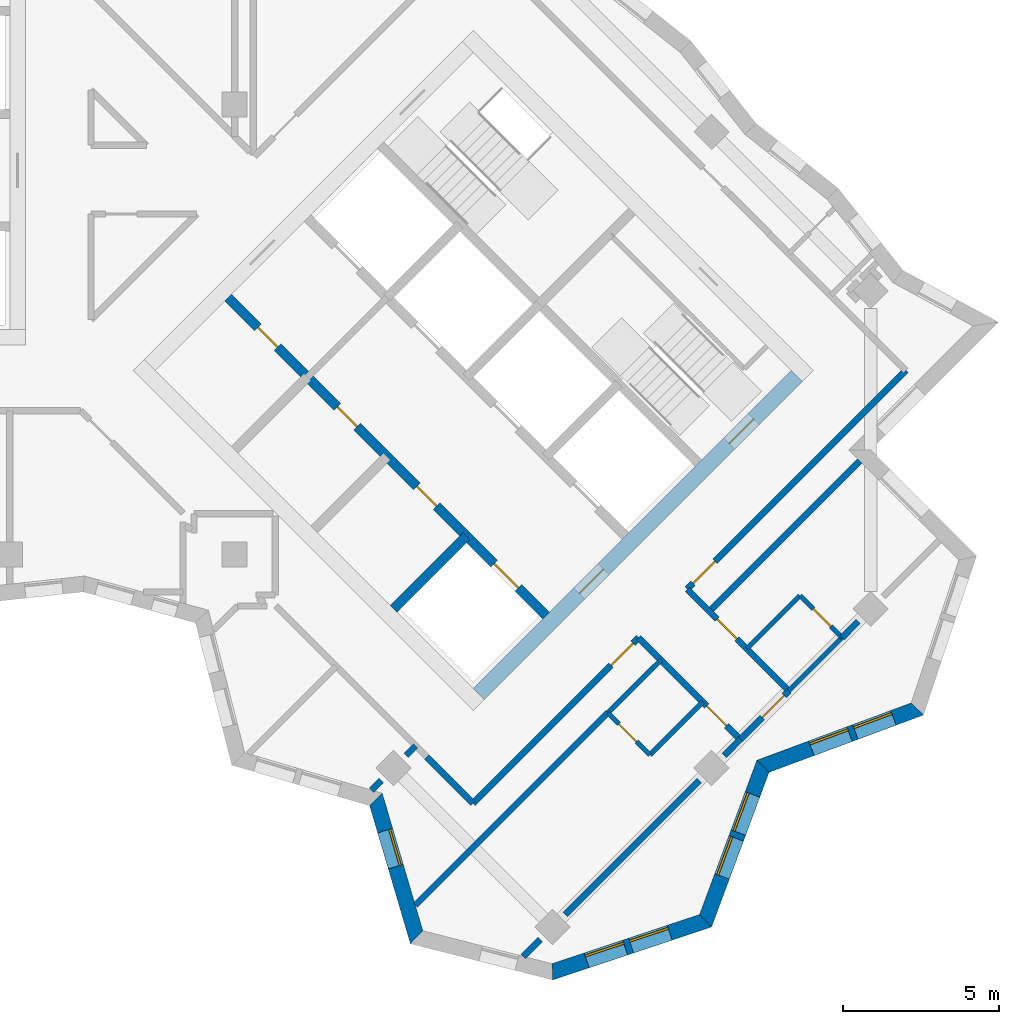
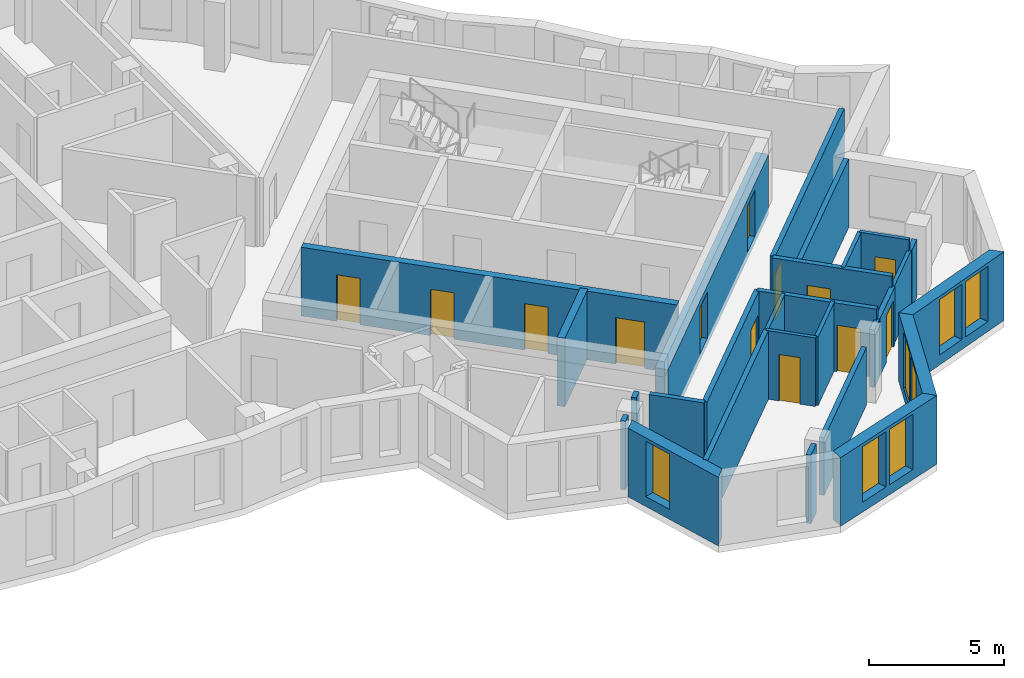
# One storey, part 8 of 12: 27 walls, 13 doors, 7 windows, 20 openings.
"""IFC4 building model written with IfcOpenShell, lengths in metres."""

from ifc_helpers import new_model, si_unit, direction, frame, frame_2d, origin, place, context, subcontext, project, spatial, polyline, rectangle, outline, extrude, material, layer, layer_set, type_object, element, fill, save


model = new_model("IFC4")

# Units and contexts
model_context = context("Model", 3, precision=1e-05, world=origin(), true_north=direction((0.0, 1.0)))
body_context = subcontext(model_context, "Body", "Model", "MODEL_VIEW")
ifc_project = project(units=[si_unit("LENGTHUNIT", "METRE"), si_unit("AREAUNIT", "SQUARE_METRE"), si_unit("VOLUMEUNIT", "CUBIC_METRE"), si_unit("PLANEANGLEUNIT", "RADIAN"), si_unit("MASSUNIT", "GRAM", prefix="KILO")], contexts=[model_context])

# Site, building, storey
site_placement = place(None, origin())
site = spatial("IfcSite", under=ifc_project, at=site_placement, CompositionType="ELEMENT")
building_placement = place(site_placement, origin())
building = spatial("IfcBuilding", under=site, at=building_placement, Name="Windrow Commons", CompositionType="ELEMENT")
storey_placement = place(building_placement, frame((0.0, 0.0, 199.8)))
storey = spatial("IfcBuildingStorey", under=building, at=storey_placement, Name="L54", CompositionType="ELEMENT", Elevation=199.8)

# Wall, openings, windows
ifc_material_1 = material(Name="Brick masonry, red clay brick", Category="masonry")
ifc_layer_1 = layer(ifc_material_1, 0.5)
ifc_layer_set_1 = layer_set([ifc_layer_1], Name="Brick facade wall 500")
wall_type_1 = type_object("IfcWallType", Name="Brick facade wall 500", PredefinedType="SOLIDWALL", material=ifc_layer_set_1)
wall_1_placement = place(storey_placement, frame((89.3729, 29.834, 0.0), z_axis=(0.0, 0.0, 1.0), x_axis=(0.9486871639, 0.3162161681, 0.0)))
wall_1 = element("IfcWall", 1, at=wall_1_placement, inside=storey, type_object=wall_type_1, Name="Brick facade wall L54 1", PredefinedType="SOLIDWALL", context=body_context, shape_type="SweptSolid", body=[
    extrude(outline(polyline([(-0.0734, -0.25), (5.2931, -0.25), (5.0536, 0.25), (0.0734, 0.25), (-0.0734, -0.25)])), origin(), (0.0, 0.0, 1.0), 3.1),
])
opening_1_placement = place(wall_1_placement, frame((1.1584, 0.0, 0.45)))
opening_1 = element("IfcOpeningElement", 2, at=opening_1_placement, cuts=wall_1, Name="Opening W1Q", PredefinedType="OPENING", context=body_context, shape_type="SweptSolid", body=[
    extrude(rectangle(XDim=1.3, YDim=2.5, at=frame_2d((0.65, 1.25))), frame((0.0, 0.26, 0.0), z_axis=(0.0, -1.0, 0.0), x_axis=(1.0, 0.0, 0.0)), (0.0, 0.0, 1.0), 0.52),
])
opening_2_placement = place(wall_1_placement, frame((2.6584, 0.0, 0.45)))
opening_2 = element("IfcOpeningElement", 3, at=opening_2_placement, cuts=wall_1, Name="Opening W1Q", PredefinedType="OPENING", context=body_context, shape_type="SweptSolid", body=[
    extrude(rectangle(XDim=1.3, YDim=2.5, at=frame_2d((0.65, 1.25))), frame((0.0, 0.26, 0.0), z_axis=(0.0, -1.0, 0.0), x_axis=(1.0, 0.0, 0.0)), (0.0, 0.0, 1.0), 0.52),
])
ifc_material_2 = material(Name="Clear float glass in anodised aluminium frame", Category="aluminium")
window_type_1 = type_object("IfcWindowType", Name="Window W1Q pair 1300x2500", PartitioningType="SINGLE_PANEL", PredefinedType="WINDOW", material=ifc_material_2)
window_1_placement = place(opening_1_placement, origin())
window_1 = element("IfcWindow", 4, at=window_1_placement, inside=storey, type_object=window_type_1, Name="Window L54 1.1A", OverallHeight=2.5, OverallWidth=1.3, PartitioningType="SINGLE_PANEL", PredefinedType="WINDOW", context=body_context, shape_type="SweptSolid", body=[
    extrude(rectangle(XDim=1.3, YDim=2.5, at=frame_2d((0.65, 1.25))), frame((0.0, 0.18, 0.0), z_axis=(0.0, -1.0, 0.0), x_axis=(1.0, 0.0, 0.0)), (0.0, 0.0, 1.0), 0.06),
])
fill(opening_1, window_1)
window_2_placement = place(opening_2_placement, origin())
window_2 = element("IfcWindow", 5, at=window_2_placement, inside=storey, type_object=window_type_1, Name="Window L54 1.1B", OverallHeight=2.5, OverallWidth=1.3, PartitioningType="SINGLE_PANEL", PredefinedType="WINDOW", context=body_context, shape_type="SweptSolid", body=[
    extrude(rectangle(XDim=1.3, YDim=2.5, at=frame_2d((0.65, 1.25))), frame((0.0, 0.18, 0.0), z_axis=(0.0, -1.0, 0.0), x_axis=(1.0, 0.0, 0.0)), (0.0, 0.0, 1.0), 0.06),
])
fill(opening_2, window_2)

wall_2_placement = place(storey_placement, frame((94.2808, 31.4699, 0.0), z_axis=(0.0, 0.0, 1.0), x_axis=(0.3481903374, 0.9374238577, 0.0)))
wall_2 = element("IfcWall", 6, at=wall_2_placement, inside=storey, type_object=wall_type_1, Name="Brick facade wall L54 2", PredefinedType="SOLIDWALL", context=body_context, shape_type="SweptSolid", body=[
    extrude(outline(polyline([(-0.1197, -0.25), (5.1604, -0.25), (5.3896, 0.25), (0.1197, 0.25), (-0.1197, -0.25)])), origin(), (0.0, 0.0, 1.0), 3.1),
])
opening_3_placement = place(wall_2_placement, frame((1.5123, 0.0, 0.45)))
opening_3 = element("IfcOpeningElement", 7, at=opening_3_placement, cuts=wall_2, Name="Opening W1Q", PredefinedType="OPENING", context=body_context, shape_type="SweptSolid", body=[
    extrude(rectangle(XDim=1.3, YDim=2.5, at=frame_2d((0.65, 1.25))), frame((0.0, 0.26, 0.0), z_axis=(0.0, -1.0, 0.0), x_axis=(1.0, 0.0, 0.0)), (0.0, 0.0, 1.0), 0.52),
])
opening_4_placement = place(wall_2_placement, frame((3.0123, 0.0, 0.45)))
opening_4 = element("IfcOpeningElement", 8, at=opening_4_placement, cuts=wall_2, Name="Opening W1Q", PredefinedType="OPENING", context=body_context, shape_type="SweptSolid", body=[
    extrude(rectangle(XDim=1.3, YDim=2.5, at=frame_2d((0.65, 1.25))), frame((0.0, 0.26, 0.0), z_axis=(0.0, -1.0, 0.0), x_axis=(1.0, 0.0, 0.0)), (0.0, 0.0, 1.0), 0.52),
])
window_3_placement = place(opening_3_placement, origin())
window_3 = element("IfcWindow", 9, at=window_3_placement, inside=storey, type_object=window_type_1, Name="Window L54 2.1A", OverallHeight=2.5, OverallWidth=1.3, PartitioningType="SINGLE_PANEL", PredefinedType="WINDOW", context=body_context, shape_type="SweptSolid", body=[
    extrude(rectangle(XDim=1.3, YDim=2.5, at=frame_2d((0.65, 1.25))), frame((0.0, 0.18, 0.0), z_axis=(0.0, -1.0, 0.0), x_axis=(1.0, 0.0, 0.0)), (0.0, 0.0, 1.0), 0.06),
])
fill(opening_3, window_3)
window_4_placement = place(opening_4_placement, origin())
window_4 = element("IfcWindow", 10, at=window_4_placement, inside=storey, type_object=window_type_1, Name="Window L54 2.1B", OverallHeight=2.5, OverallWidth=1.3, PartitioningType="SINGLE_PANEL", PredefinedType="WINDOW", context=body_context, shape_type="SweptSolid", body=[
    extrude(rectangle(XDim=1.3, YDim=2.5, at=frame_2d((0.65, 1.25))), frame((0.0, 0.18, 0.0), z_axis=(0.0, -1.0, 0.0), x_axis=(1.0, 0.0, 0.0)), (0.0, 0.0, 1.0), 0.06),
])
fill(opening_4, window_4)

wall_3_placement = place(storey_placement, frame((96.1175, 36.4148, 0.0), z_axis=(0.0, 0.0, 1.0), x_axis=(0.9374238577, 0.3481903374, 0.0)))
wall_3 = element("IfcWall", 11, at=wall_3_placement, inside=storey, type_object=wall_type_1, Name="Brick facade wall L54 3", PredefinedType="SOLIDWALL", context=body_context, shape_type="SweptSolid", body=[
    extrude(outline(polyline([(0.1146, -0.25), (5.3947, -0.25), (5.1552, 0.25), (-0.1146, 0.25), (0.1146, -0.25)])), origin(), (0.0, 0.0, 1.0), 3.1),
])
opening_5_placement = place(wall_3_placement, frame((1.655, 0.0, 0.45)))
opening_5 = element("IfcOpeningElement", 12, at=opening_5_placement, cuts=wall_3, Name="Opening W1Q", PredefinedType="OPENING", context=body_context, shape_type="SweptSolid", body=[
    extrude(rectangle(XDim=1.3, YDim=2.5, at=frame_2d((0.65, 1.25))), frame((0.0, 0.26, 0.0), z_axis=(0.0, -1.0, 0.0), x_axis=(1.0, 0.0, 0.0)), (0.0, 0.0, 1.0), 0.52),
])
opening_6_placement = place(wall_3_placement, frame((3.155, 0.0, 0.45)))
opening_6 = element("IfcOpeningElement", 13, at=opening_6_placement, cuts=wall_3, Name="Opening W1Q", PredefinedType="OPENING", context=body_context, shape_type="SweptSolid", body=[
    extrude(rectangle(XDim=1.3, YDim=2.5, at=frame_2d((0.65, 1.25))), frame((0.0, 0.26, 0.0), z_axis=(0.0, -1.0, 0.0), x_axis=(1.0, 0.0, 0.0)), (0.0, 0.0, 1.0), 0.52),
])
window_5_placement = place(opening_5_placement, origin())
window_5 = element("IfcWindow", 14, at=window_5_placement, inside=storey, type_object=window_type_1, Name="Window L54 3.1A", OverallHeight=2.5, OverallWidth=1.3, PartitioningType="SINGLE_PANEL", PredefinedType="WINDOW", context=body_context, shape_type="SweptSolid", body=[
    extrude(rectangle(XDim=1.3, YDim=2.5, at=frame_2d((0.65, 1.25))), frame((0.0, 0.18, 0.0), z_axis=(0.0, -1.0, 0.0), x_axis=(1.0, 0.0, 0.0)), (0.0, 0.0, 1.0), 0.06),
])
fill(opening_5, window_5)
window_6_placement = place(opening_6_placement, origin())
window_6 = element("IfcWindow", 15, at=window_6_placement, inside=storey, type_object=window_type_1, Name="Window L54 3.1B", OverallHeight=2.5, OverallWidth=1.3, PartitioningType="SINGLE_PANEL", PredefinedType="WINDOW", context=body_context, shape_type="SweptSolid", body=[
    extrude(rectangle(XDim=1.3, YDim=2.5, at=frame_2d((0.65, 1.25))), frame((0.0, 0.18, 0.0), z_axis=(0.0, -1.0, 0.0), x_axis=(1.0, 0.0, 0.0)), (0.0, 0.0, 1.0), 0.06),
])
fill(opening_6, window_6)

# Wall, opening, window
wall_4_placement = place(storey_placement, frame((83.7244, 35.3511, 0.0), z_axis=(0.0, 0.0, 1.0), x_axis=(0.2831378676, -0.9590792188, 0.0)))
wall_4 = element("IfcWall", 16, at=wall_4_placement, inside=storey, type_object=wall_type_1, Name="Brick facade wall L54 50", PredefinedType="SOLIDWALL", context=body_context, shape_type="SweptSolid", body=[
    extrude(outline(polyline([(0.136, -0.25), (4.7389, -0.25), (4.4546, 0.25), (-0.136, 0.25), (0.136, -0.25)])), origin(), (0.0, 0.0, 1.0), 3.1),
])
opening_7_placement = place(wall_4_placement, frame((1.0385, 0.0, 0.45)))
opening_7 = element("IfcOpeningElement", 17, at=opening_7_placement, cuts=wall_4, Name="Opening W7E", PredefinedType="OPENING", context=body_context, shape_type="SweptSolid", body=[
    extrude(rectangle(XDim=1.2, YDim=2.5, at=frame_2d((0.6, 1.25))), frame((0.0, 0.26, 0.0), z_axis=(0.0, -1.0, 0.0), x_axis=(1.0, 0.0, 0.0)), (0.0, 0.0, 1.0), 0.52),
])
ifc_material_3 = material(Name="Clear float glass in anodised aluminium frame", Category="aluminium")
window_type_2 = type_object("IfcWindowType", Name="Window W7 notch 1200x2500", PartitioningType="SINGLE_PANEL", PredefinedType="WINDOW", material=ifc_material_3)
window_7_placement = place(opening_7_placement, origin())
window_7 = element("IfcWindow", 18, at=window_7_placement, inside=storey, type_object=window_type_2, Name="Window L54 50.1", OverallHeight=2.5, OverallWidth=1.2, PartitioningType="SINGLE_PANEL", PredefinedType="WINDOW", context=body_context, shape_type="SweptSolid", body=[
    extrude(rectangle(XDim=1.2, YDim=2.5, at=frame_2d((0.6, 1.25))), frame((0.0, 0.18, 0.0), z_axis=(0.0, -1.0, 0.0), x_axis=(1.0, 0.0, 0.0)), (0.0, 0.0, 1.0), 0.06),
])
fill(opening_7, window_7)

# Wall, opening, door
ifc_material_4 = material(Name="Blockwork partition", Category="masonry")
ifc_layer_2 = layer(ifc_material_4, 0.2)
ifc_layer_set_2 = layer_set([ifc_layer_2], Name="IW-CORRIDOR-200")
wall_type_2 = type_object("IfcWallType", Name="IW-CORRIDOR-200", PredefinedType="PARTITIONING", material=ifc_layer_set_2)
wall_5_placement = place(storey_placement, frame((93.6953, 42.0907, 0.0), z_axis=(0.0, 0.0, 1.0), x_axis=(0.7071067812, 0.7071067812, 0.0)))
wall_5 = element("IfcWall", 19, at=wall_5_placement, inside=storey, type_object=wall_type_2, Name="W-L54-W009", PredefinedType="PARTITIONING", context=body_context, shape_type="SweptSolid", body=[
    extrude(rectangle(XDim=9.8995, YDim=0.2, at=frame_2d((4.9497, 0.0))), origin(), (0.0, 0.0, 1.0), 3.1),
])
opening_8_placement = place(wall_5_placement, frame((0.2553, 0.0, 0.0)))
opening_8 = element("IfcOpeningElement", 20, at=opening_8_placement, cuts=wall_5, Name="Opening D310F", PredefinedType="OPENING", context=body_context, shape_type="SweptSolid", body=[
    extrude(rectangle(XDim=1.0, YDim=2.1, at=frame_2d((0.5, 1.05))), frame((0.0, 0.11, 0.0), z_axis=(0.0, -1.0, 0.0), x_axis=(1.0, 0.0, 0.0)), (0.0, 0.0, 1.0), 0.22),
])
ifc_material_5 = material(Name="Timber door leaf", Category="wood")
door_type_1 = type_object("IfcDoorType", Name="DT-AMENITY-1000", OperationType="SINGLE_SWING_LEFT", PredefinedType="DOOR", material=ifc_material_5)
door_1_placement = place(opening_8_placement, origin())
door_1 = element("IfcDoor", 21, at=door_1_placement, inside=storey, type_object=door_type_1, Name="D-L54-D048", OperationType="SINGLE_SWING_LEFT", OverallHeight=2.1, OverallWidth=1.0, PredefinedType="DOOR", context=body_context, shape_type="SweptSolid", body=[
    extrude(rectangle(XDim=1.0, YDim=2.1, at=frame_2d((0.5, 1.05))), frame((0.0, 0.025, 0.0), z_axis=(0.0, -1.0, 0.0), x_axis=(1.0, 0.0, 0.0)), (0.0, 0.0, 1.0), 0.05),
])
fill(opening_8, door_1)

wall_6_placement = place(storey_placement, frame((86.8353, 35.2307, 0.0), z_axis=(0.0, 0.0, 1.0), x_axis=(0.7071067812, 0.7071067812, 0.0)))
wall_6 = element("IfcWall", 22, at=wall_6_placement, inside=storey, type_object=wall_type_2, Name="W-L54-W013", PredefinedType="PARTITIONING", context=body_context, shape_type="SweptSolid", body=[
    extrude(rectangle(XDim=7.501, YDim=0.2, at=frame_2d((3.7505, 0.0))), origin(), (0.0, 0.0, 1.0), 3.1),
])
opening_9_placement = place(wall_6_placement, frame((6.2426, 0.0, 0.0)))
opening_9 = element("IfcOpeningElement", 23, at=opening_9_placement, cuts=wall_6, Name="Opening D310F", PredefinedType="OPENING", context=body_context, shape_type="SweptSolid", body=[
    extrude(rectangle(XDim=1.0, YDim=2.1, at=frame_2d((0.5, 1.05))), frame((0.0, 0.11, 0.0), z_axis=(0.0, -1.0, 0.0), x_axis=(1.0, 0.0, 0.0)), (0.0, 0.0, 1.0), 0.22),
])
door_2_placement = place(opening_9_placement, origin())
door_2 = element("IfcDoor", 24, at=door_2_placement, inside=storey, type_object=door_type_1, Name="D-L54-D049", OperationType="SINGLE_SWING_RIGHT", OverallHeight=2.1, OverallWidth=1.0, PredefinedType="DOOR", context=body_context, shape_type="SweptSolid", body=[
    extrude(rectangle(XDim=1.0, YDim=2.1, at=frame_2d((0.5, 1.05))), frame((0.0, 0.025, 0.0), z_axis=(0.0, -1.0, 0.0), x_axis=(1.0, 0.0, 0.0)), (0.0, 0.0, 1.0), 0.05),
])
fill(opening_9, door_2)

wall_7_placement = place(storey_placement, frame((93.6933, 42.0853, 0.0), z_axis=(0.0, 0.0, 1.0), x_axis=(0.7071067812, -0.7071067812, 0.0)))
wall_7 = element("IfcWall", 25, at=wall_7_placement, inside=storey, type_object=wall_type_2, Name="W-L54-W034", PredefinedType="PARTITIONING", context=body_context, shape_type="SweptSolid", body=[
    extrude(rectangle(XDim=4.599, YDim=0.2, at=frame_2d((2.2995, 0.0))), origin(), (0.0, 0.0, 1.0), 3.1),
])
opening_10_placement = place(wall_7_placement, frame((1.3488, 0.0, 0.0)))
opening_10 = element("IfcOpeningElement", 26, at=opening_10_placement, cuts=wall_7, Name="Opening D109S", PredefinedType="OPENING", context=body_context, shape_type="SweptSolid", body=[
    extrude(rectangle(XDim=0.9, YDim=2.1, at=frame_2d((0.45, 1.05))), frame((0.0, 0.11, 0.0), z_axis=(0.0, -1.0, 0.0), x_axis=(1.0, 0.0, 0.0)), (0.0, 0.0, 1.0), 0.22),
])
ifc_material_6 = material(Name="Timber door leaf", Category="wood")
door_type_2 = type_object("IfcDoorType", Name="DT-BEDROOM-900", OperationType="SINGLE_SWING_LEFT", PredefinedType="DOOR", material=ifc_material_6)
door_3_placement = place(opening_10_placement, origin())
door_3 = element("IfcDoor", 27, at=door_3_placement, inside=storey, type_object=door_type_2, Name="D-L54-D050", OperationType="SINGLE_SWING_RIGHT", OverallHeight=2.1, OverallWidth=0.9, PredefinedType="DOOR", context=body_context, shape_type="SweptSolid", body=[
    extrude(rectangle(XDim=0.9, YDim=2.1, at=frame_2d((0.45, 1.05))), frame((0.0, 0.025, 0.0), z_axis=(0.0, -1.0, 0.0), x_axis=(1.0, 0.0, 0.0)), (0.0, 0.0, 1.0), 0.05),
])
fill(opening_10, door_3)

wall_8_placement = place(storey_placement, frame((92.1367, 40.5307, 0.0), z_axis=(0.0, 0.0, 1.0), x_axis=(0.7071067812, -0.7071067812, 0.0)))
wall_8 = element("IfcWall", 28, at=wall_8_placement, inside=storey, type_object=wall_type_2, Name="W-L54-W035", PredefinedType="PARTITIONING", context=body_context, shape_type="SweptSolid", body=[
    extrude(rectangle(XDim=4.599, YDim=0.2, at=frame_2d((2.2995, 0.0))), origin(), (0.0, 0.0, 1.0), 3.1),
])
opening_11_placement = place(wall_8_placement, frame((3.0827, 0.0, 0.0)))
opening_11 = element("IfcOpeningElement", 29, at=opening_11_placement, cuts=wall_8, Name="Opening D109S", PredefinedType="OPENING", context=body_context, shape_type="SweptSolid", body=[
    extrude(rectangle(XDim=0.9, YDim=2.1, at=frame_2d((0.45, 1.05))), frame((0.0, 0.11, 0.0), z_axis=(0.0, -1.0, 0.0), x_axis=(1.0, 0.0, 0.0)), (0.0, 0.0, 1.0), 0.22),
])
door_4_placement = place(opening_11_placement, origin())
door_4 = element("IfcDoor", 30, at=door_4_placement, inside=storey, type_object=door_type_2, Name="D-L54-D052", OperationType="SINGLE_SWING_LEFT", OverallHeight=2.1, OverallWidth=0.9, PredefinedType="DOOR", context=body_context, shape_type="SweptSolid", body=[
    extrude(rectangle(XDim=0.9, YDim=2.1, at=frame_2d((0.45, 1.05))), frame((0.0, 0.025, 0.0), z_axis=(0.0, -1.0, 0.0), x_axis=(1.0, 0.0, 0.0)), (0.0, 0.0, 1.0), 0.05),
])
fill(opening_11, door_4)

wall_9_placement = place(storey_placement, frame((95.3923, 37.2817, 0.0), z_axis=(0.0, 0.0, 1.0), x_axis=(0.7075613659, 0.706651904, 0.0)))
wall_9 = element("IfcWall", 31, at=wall_9_placement, inside=storey, type_object=wall_type_2, Name="W-L54-W096", PredefinedType="PARTITIONING", context=body_context, shape_type="SweptSolid", body=[
    extrude(rectangle(XDim=2.1991, YDim=0.2, at=frame_2d((1.0996, 0.0))), origin(), (0.0, 0.0, 1.0), 2.6),
])
opening_12_placement = place(wall_9_placement, frame((0.9865, 0.0, 0.0)))
opening_12 = element("IfcOpeningElement", 32, at=opening_12_placement, cuts=wall_9, Name="Opening D310F", PredefinedType="OPENING", context=body_context, shape_type="SweptSolid", body=[
    extrude(rectangle(XDim=1.0, YDim=2.1, at=frame_2d((0.5, 1.05))), frame((0.0, 0.11, 0.0), z_axis=(0.0, -1.0, 0.0), x_axis=(1.0, 0.0, 0.0)), (0.0, 0.0, 1.0), 0.22),
])
door_5_placement = place(opening_12_placement, origin())
door_5 = element("IfcDoor", 33, at=door_5_placement, inside=storey, type_object=door_type_1, Name="D-L54-D054", OperationType="SINGLE_SWING_RIGHT", OverallHeight=2.1, OverallWidth=1.0, PredefinedType="DOOR", context=body_context, shape_type="SweptSolid", body=[
    extrude(rectangle(XDim=1.0, YDim=2.1, at=frame_2d((0.5, 1.05))), frame((0.0, 0.025, 0.0), z_axis=(0.0, -1.0, 0.0), x_axis=(1.0, 0.0, 0.0)), (0.0, 0.0, 1.0), 0.05),
])
fill(opening_12, door_5)

# Walls
wall_10_placement = place(storey_placement, frame((85.3532, 36.7172, 0.0), z_axis=(0.0, 0.0, 1.0), x_axis=(0.7066304548, -0.7075827869, 0.0)))
element("IfcWall", 34, at=wall_10_placement, inside=storey, type_object=wall_type_2, Name="W-L54-W098", PredefinedType="PARTITIONING", context=body_context, shape_type="SweptSolid", body=[
    extrude(rectangle(XDim=2.1001, YDim=0.2, at=frame_2d((1.05, 0.0))), origin(), (0.0, 0.0, 1.0), 3.1),
])
ifc_material_7 = material(Name="Blockwork partition", Category="masonry")
ifc_layer_3 = layer(ifc_material_7, 0.15)
ifc_layer_set_3 = layer_set([ifc_layer_3], Name="IW-ENSUITE-150")
wall_type_3 = type_object("IfcWallType", Name="IW-ENSUITE-150", PredefinedType="PARTITIONING", material=ifc_layer_set_3)
wall_11_placement = place(storey_placement, frame((95.6035, 40.1805, 0.0), z_axis=(0.0, 0.0, 1.0), x_axis=(0.7071067812, 0.7071067812, 0.0)))
element("IfcWall", 35, at=wall_11_placement, inside=storey, type_object=wall_type_3, Name="W-L54-W060", PredefinedType="PARTITIONING", context=body_context, shape_type="SweptSolid", body=[
    extrude(rectangle(XDim=2.4013, YDim=0.15, at=frame_2d((1.2006, 0.0))), origin(), (0.0, 0.0, 1.0), 3.1),
])
wall_12_placement = place(storey_placement, frame((96.947, 38.837, 0.0), z_axis=(0.0, 0.0, 1.0), x_axis=(0.7071067812, 0.7071067812, 0.0)))
element("IfcWall", 36, at=wall_12_placement, inside=storey, type_object=wall_type_3, Name="W-L54-W061", PredefinedType="PARTITIONING", context=body_context, shape_type="SweptSolid", body=[
    extrude(rectangle(XDim=2.4013, YDim=0.15, at=frame_2d((1.2006, 0.0))), origin(), (0.0, 0.0, 1.0), 2.6),
])
for number, where, z_axis, x_axis, name in (
    (37, (91.1522, 38.1278, 0.0), (0.0, 0.0, 1.0), (0.7075233388, 0.706689978, 0.0), "W-L54-W089"),
    (38, (92.4973, 36.7827, 0.0), (0.0, 0.0, 1.0), (0.706689978, 0.7075233388, 0.0), "W-L54-W090"),
):
    element("IfcWall", number, at=place(storey_placement, frame(where, z_axis=z_axis, x_axis=x_axis)), inside=storey, type_object=wall_type_3, Name=name, PredefinedType="PARTITIONING", context=body_context, shape_type="SweptSolid", body=[
        extrude(rectangle(XDim=2.3999, YDim=0.15, at=frame_2d((1.2, 0.0))), origin(), (0.0, 0.0, 1.0), 3.1),
    ])

# Wall, opening, door
wall_13_placement = place(storey_placement, frame((97.3054, 41.8814, 0.0), z_axis=(0.0, 0.0, 1.0), x_axis=(0.7071067812, -0.7071067812, 0.0)))
wall_13 = element("IfcWall", 39, at=wall_13_placement, inside=storey, type_object=wall_type_3, Name="W-L54-W102", PredefinedType="PARTITIONING", context=body_context, shape_type="SweptSolid", body=[
    extrude(rectangle(XDim=1.9007, YDim=0.15, at=frame_2d((0.9504, 0.0))), origin(), (0.0, 0.0, 1.0), 3.1),
])
opening_13_placement = place(wall_13_placement, frame((0.5956, 0.0, 0.0)))
opening_13 = element("IfcOpeningElement", 40, at=opening_13_placement, cuts=wall_13, Name="Opening D208N", PredefinedType="OPENING", context=body_context, shape_type="SweptSolid", body=[
    extrude(rectangle(XDim=0.8, YDim=2.1, at=frame_2d((0.4, 1.05))), frame((0.0, 0.085, 0.0), z_axis=(0.0, -1.0, 0.0), x_axis=(1.0, 0.0, 0.0)), (0.0, 0.0, 1.0), 0.17),
])
ifc_material_8 = material(Name="Timber door leaf", Category="wood")
door_type_3 = type_object("IfcDoorType", Name="DT-ENSUITE-800", OperationType="SINGLE_SWING_LEFT", PredefinedType="DOOR", material=ifc_material_8)
door_6_placement = place(opening_13_placement, origin())
door_6 = element("IfcDoor", 41, at=door_6_placement, inside=storey, type_object=door_type_3, Name="D-L54-D051", OperationType="SINGLE_SWING_RIGHT", OverallHeight=2.1, OverallWidth=0.8, PredefinedType="DOOR", context=body_context, shape_type="SweptSolid", body=[
    extrude(rectangle(XDim=0.8, YDim=2.1, at=frame_2d((0.4, 1.05))), frame((0.0, 0.025, 0.0), z_axis=(0.0, -1.0, 0.0), x_axis=(1.0, 0.0, 0.0)), (0.0, 0.0, 1.0), 0.05),
])
fill(opening_13, door_6)

wall_14_placement = place(storey_placement, frame((91.1466, 38.1266, 0.0), z_axis=(0.0, 0.0, 1.0), x_axis=(0.7071067812, -0.7071067812, 0.0)))
wall_14 = element("IfcWall", 42, at=wall_14_placement, inside=storey, type_object=wall_type_3, Name="W-L54-W103", PredefinedType="PARTITIONING", context=body_context, shape_type="SweptSolid", body=[
    extrude(rectangle(XDim=1.9007, YDim=0.15, at=frame_2d((0.9504, 0.0))), origin(), (0.0, 0.0, 1.0), 3.1),
])
opening_14_placement = place(wall_14_placement, frame((0.5056, 0.0, 0.0)))
opening_14 = element("IfcOpeningElement", 43, at=opening_14_placement, cuts=wall_14, Name="Opening D208N", PredefinedType="OPENING", context=body_context, shape_type="SweptSolid", body=[
    extrude(rectangle(XDim=0.8, YDim=2.1, at=frame_2d((0.4, 1.05))), frame((0.0, 0.085, 0.0), z_axis=(0.0, -1.0, 0.0), x_axis=(1.0, 0.0, 0.0)), (0.0, 0.0, 1.0), 0.17),
])
door_7_placement = place(opening_14_placement, origin())
door_7 = element("IfcDoor", 44, at=door_7_placement, inside=storey, type_object=door_type_3, Name="D-L54-D053", OperationType="SINGLE_SWING_RIGHT", OverallHeight=2.1, OverallWidth=0.8, PredefinedType="DOOR", context=body_context, shape_type="SweptSolid", body=[
    extrude(rectangle(XDim=0.8, YDim=2.1, at=frame_2d((0.4, 1.05))), frame((0.0, 0.025, 0.0), z_axis=(0.0, -1.0, 0.0), x_axis=(1.0, 0.0, 0.0)), (0.0, 0.0, 1.0), 0.05),
])
fill(opening_14, door_7)

# Walls
ifc_material_9 = material(Name="Blockwork partition", Category="masonry")
ifc_layer_4 = layer(ifc_material_9, 0.2)
ifc_layer_set_4 = layer_set([ifc_layer_4], Name="IW-PARTY-200")
wall_type_4 = type_object("IfcWallType", Name="IW-PARTY-200", PredefinedType="PARTITIONING", material=ifc_layer_set_4)
wall_15_placement = place(storey_placement, frame((84.9845, 31.9657, 0.0), z_axis=(0.0, 0.0, 1.0), x_axis=(0.7071067812, 0.7071067812, 0.0)))
element("IfcWall", 45, at=wall_15_placement, inside=storey, type_object=wall_type_4, Name="W-L54-W012", PredefinedType="PARTITIONING", context=body_context, shape_type="SweptSolid", body=[
    extrude(rectangle(XDim=8.7185, YDim=0.2, at=frame_2d((4.3593, 0.0))), origin(), (0.0, 0.0, 1.0), 3.1),
])
wall_16_placement = place(storey_placement, frame((94.4016, 41.3824, 0.0), z_axis=(0.0, 0.0, 1.0), x_axis=(0.7072538072, 0.7069597246, 0.0)))
element("IfcWall", 46, at=wall_16_placement, inside=storey, type_object=wall_type_4, Name="W-L54-W017", PredefinedType="PARTITIONING", context=body_context, shape_type="SweptSolid", body=[
    extrude(rectangle(XDim=6.8008, YDim=0.2, at=frame_2d((3.4004, 0.0))), origin(), (0.0, 0.0, 1.0), 3.1),
])
wall_17_placement = place(storey_placement, frame((89.781, 31.671, 0.0), z_axis=(0.0, 0.0, 1.0), x_axis=(0.7071067812, 0.7071067812, 0.0)))
element("IfcWall", 47, at=wall_17_placement, inside=storey, type_object=wall_type_4, Name="W-L54-W026", PredefinedType="PARTITIONING", context=body_context, shape_type="SweptSolid", body=[
    extrude(rectangle(XDim=6.0698, YDim=0.2, at=frame_2d((3.0349, 0.0))), origin(), (0.0, 0.0, 1.0), 2.6),
])
for number, where, z_axis, x_axis, name in (
    (48, (98.6453, 40.5347, 0.0), (0.0, 0.0, 1.0), (0.7057430303, 0.7084679069, 0.0), "W-L54-W143"),
    (49, (94.8735, 36.7625, 0.0), (0.0, 0.0, 1.0), (0.7057430303, 0.7084679069, 0.0), "W-L54-W144"),
):
    element("IfcWall", number, at=place(storey_placement, frame(where, z_axis=z_axis, x_axis=x_axis)), inside=storey, type_object=wall_type_4, Name=name, PredefinedType="PARTITIONING", context=body_context, shape_type="SweptSolid", body=[
        extrude(rectangle(XDim=0.734, YDim=0.2, at=frame_2d((0.367, 0.0))), origin(), (0.0, 0.0, 1.0), 2.6),
    ])
wall_18_placement = place(storey_placement, frame((88.4399, 30.3299, 0.0), z_axis=(0.0, 0.0, 1.0), x_axis=(0.7071067812, 0.7071067812, 0.0)))
element("IfcWall", 50, at=wall_18_placement, inside=storey, type_object=wall_type_4, Name="W-L54-W145", PredefinedType="PARTITIONING", context=body_context, shape_type="SweptSolid", body=[
    extrude(rectangle(XDim=0.7652, YDim=0.2, at=frame_2d((0.3826, 0.0))), origin(), (0.0, 0.0, 1.0), 3.1),
])
wall_19_placement = place(storey_placement, frame((84.6908, 36.7632, 0.0), z_axis=(0.0, 0.0, 1.0), x_axis=(0.7071067812, 0.7071067812, 0.0)))
element("IfcWall", 51, at=wall_19_placement, inside=storey, type_object=wall_type_4, Name="W-L54-W174", PredefinedType="PARTITIONING", context=body_context, shape_type="SweptSolid", body=[
    extrude(rectangle(XDim=0.4327, YDim=0.2, at=frame_2d((0.2163, 0.0))), origin(), (0.0, 0.0, 1.0), 3.1),
])
wall_20_placement = place(storey_placement, frame((83.5865, 35.6525, 0.0), z_axis=(0.0, 0.0, 1.0), x_axis=(0.7098608171, 0.7043419769, 0.0)))
element("IfcWall", 52, at=wall_20_placement, inside=storey, type_object=wall_type_4, Name="W-L54-W175", PredefinedType="PARTITIONING", context=body_context, shape_type="SweptSolid", body=[
    extrude(rectangle(XDim=0.4349, YDim=0.2, at=frame_2d((0.2175, 0.0))), origin(), (0.0, 0.0, 1.0), 3.1),
])

# Wall, openings, doors
ifc_material_10 = material(Name="Concrete C40/50", Category="concrete")
ifc_layer_5 = layer(ifc_material_10, 0.5)
ifc_layer_set_5 = layer_set([ifc_layer_5], Name="RC CORE WALL 500 C40/50")
wall_type_5 = type_object("IfcWallType", Name="RC CORE WALL 500 C40/50", PredefinedType="SHEAR", material=ifc_layer_set_5)
wall_21_placement = place(storey_placement, frame((87.0135, 38.7306, -0.3), z_axis=(0.0, 0.0, 1.0), x_axis=(0.7071067812, 0.7071067812, 0.0)))
wall_21 = element("IfcWall", 53, at=wall_21_placement, inside=storey, type_object=wall_type_5, Name="Core B wall outer-E", PredefinedType="SHEAR", context=body_context, shape_type="SweptSolid", body=[
    extrude(rectangle(XDim=14.4001, YDim=0.5, at=frame_2d((7.2001, 0.0))), origin(), (0.0, 0.0, 1.0), 2.7),
])
opening_15_placement = place(wall_21_placement, frame((4.55, 0.0, 0.3)))
opening_15 = element("IfcOpeningElement", 54, at=opening_15_placement, cuts=wall_21, Name="Opening D6", PredefinedType="OPENING", context=body_context, shape_type="SweptSolid", body=[
    extrude(rectangle(XDim=1.1, YDim=2.1, at=frame_2d((0.55, 1.05))), frame((0.0, 0.26, 0.0), z_axis=(0.0, -1.0, 0.0), x_axis=(1.0, 0.0, 0.0)), (0.0, 0.0, 1.0), 0.52),
])
opening_16_placement = place(wall_21_placement, frame((11.35, 0.0, 0.3)))
opening_16 = element("IfcOpeningElement", 55, at=opening_16_placement, cuts=wall_21, Name="Opening D7", PredefinedType="OPENING", context=body_context, shape_type="SweptSolid", body=[
    extrude(rectangle(XDim=1.1, YDim=2.1, at=frame_2d((0.55, 1.05))), frame((0.0, 0.26, 0.0), z_axis=(0.0, -1.0, 0.0), x_axis=(1.0, 0.0, 0.0)), (0.0, 0.0, 1.0), 0.52),
])
ifc_material_11 = material(Name="Steel fire door leaf", Category="steel")
door_type_4 = type_object("IfcDoorType", Name="Core lobby door 1100", OperationType="SINGLE_SWING_LEFT", PredefinedType="DOOR", material=ifc_material_11)
door_8_placement = place(opening_15_placement, origin())
door_8 = element("IfcDoor", 56, at=door_8_placement, inside=storey, type_object=door_type_4, Name="Lift lobby door", OperationType="DOUBLE_DOOR_SINGLE_SWING", OverallHeight=2.1, OverallWidth=1.1, PredefinedType="DOOR", context=body_context, shape_type="SweptSolid", body=[
    extrude(rectangle(XDim=1.1, YDim=2.1, at=frame_2d((0.55, 1.05))), frame((0.0, 0.025, 0.0), z_axis=(0.0, -1.0, 0.0), x_axis=(1.0, 0.0, 0.0)), (0.0, 0.0, 1.0), 0.05),
])
fill(opening_15, door_8)
ifc_material_12 = material(Name="Steel fire door leaf", Category="steel")
door_type_5 = type_object("IfcDoorType", Name="Stair door 1100", OperationType="SINGLE_SWING_LEFT", PredefinedType="DOOR", material=ifc_material_12)
door_9_placement = place(opening_16_placement, origin())
door_9 = element("IfcDoor", 57, at=door_9_placement, inside=storey, type_object=door_type_5, Name="Stair door", OperationType="SINGLE_SWING_RIGHT", OverallHeight=2.1, OverallWidth=1.1, PredefinedType="DOOR", context=body_context, shape_type="SweptSolid", body=[
    extrude(rectangle(XDim=1.1, YDim=2.1, at=frame_2d((0.55, 1.05))), frame((0.0, 0.025, 0.0), z_axis=(0.0, -1.0, 0.0), x_axis=(1.0, 0.0, 0.0)), (0.0, 0.0, 1.0), 0.05),
])
fill(opening_16, door_9)

# Wall
ifc_material_13 = material(Name="Concrete C40/50", Category="concrete")
ifc_layer_6 = layer(ifc_material_13, 0.3)
ifc_layer_set_6 = layer_set([ifc_layer_6], Name="RC SHAFT WALL 300 C40/50")
wall_type_6 = type_object("IfcWallType", Name="RC SHAFT WALL 300 C40/50", PredefinedType="SOLIDWALL", material=ifc_layer_set_6)
wall_22_placement = place(storey_placement, frame((84.2912, 41.453, 0.0), z_axis=(0.0, 0.0, 1.0), x_axis=(0.7071067812, 0.7071067812, 0.0)))
element("IfcWall", 58, at=wall_22_placement, inside=storey, type_object=wall_type_6, Name="Core B wall shaft-S3", PredefinedType="SOLIDWALL", context=body_context, shape_type="SweptSolid", body=[
    extrude(rectangle(XDim=3.2999, YDim=0.3, at=frame_2d((1.65, 0.0))), origin(), (0.0, 0.0, 1.0), 3.1),
])

# Wall, openings, doors
wall_23_placement = place(storey_placement, frame((78.9879, 51.4232, 0.0), z_axis=(0.0, 0.0, 1.0), x_axis=(0.7071067812, -0.7071067812, 0.0)))
wall_23 = element("IfcWall", 59, at=wall_23_placement, inside=storey, type_object=wall_type_6, Name="Core B wall lobby-S", PredefinedType="SOLIDWALL", context=body_context, shape_type="SweptSolid", body=[
    extrude(rectangle(XDim=14.3999, YDim=0.3, at=frame_2d((7.2, 0.0))), origin(), (0.0, 0.0, 1.0), 3.1),
])
opening_17_placement = place(wall_23_placement, frame((1.35, 0.0, 0.0)))
opening_17 = element("IfcOpeningElement", 60, at=opening_17_placement, cuts=wall_23, Name="Opening D8", PredefinedType="OPENING", context=body_context, shape_type="SweptSolid", body=[
    extrude(rectangle(XDim=0.9, YDim=2.1, at=frame_2d((0.45, 1.05))), frame((0.0, 0.16, 0.0), z_axis=(0.0, -1.0, 0.0), x_axis=(1.0, 0.0, 0.0)), (0.0, 0.0, 1.0), 0.32),
])
opening_18_placement = place(wall_23_placement, frame((4.95, 0.0, 0.0)))
opening_18 = element("IfcOpeningElement", 61, at=opening_18_placement, cuts=wall_23, Name="Opening D8", PredefinedType="OPENING", context=body_context, shape_type="SweptSolid", body=[
    extrude(rectangle(XDim=0.9, YDim=2.1, at=frame_2d((0.45, 1.05))), frame((0.0, 0.16, 0.0), z_axis=(0.0, -1.0, 0.0), x_axis=(1.0, 0.0, 0.0)), (0.0, 0.0, 1.0), 0.32),
])
opening_19_placement = place(wall_23_placement, frame((8.55, 0.0, 0.0)))
opening_19 = element("IfcOpeningElement", 62, at=opening_19_placement, cuts=wall_23, Name="Opening D8", PredefinedType="OPENING", context=body_context, shape_type="SweptSolid", body=[
    extrude(rectangle(XDim=0.9, YDim=2.1, at=frame_2d((0.45, 1.05))), frame((0.0, 0.16, 0.0), z_axis=(0.0, -1.0, 0.0), x_axis=(1.0, 0.0, 0.0)), (0.0, 0.0, 1.0), 0.32),
])
opening_20_placement = place(wall_23_placement, frame((12.05, 0.0, 0.0)))
opening_20 = element("IfcOpeningElement", 63, at=opening_20_placement, cuts=wall_23, Name="Opening LD", PredefinedType="OPENING", context=body_context, shape_type="SweptSolid", body=[
    extrude(rectangle(XDim=1.1, YDim=2.1, at=frame_2d((0.55, 1.05))), frame((0.0, 0.16, 0.0), z_axis=(0.0, -1.0, 0.0), x_axis=(1.0, 0.0, 0.0)), (0.0, 0.0, 1.0), 0.32),
])
ifc_material_14 = material(Name="Steel fire door leaf", Category="steel")
door_type_6 = type_object("IfcDoorType", Name="Core store door 900", OperationType="SINGLE_SWING_LEFT", PredefinedType="DOOR", material=ifc_material_14)
door_10_placement = place(opening_17_placement, origin())
door_10 = element("IfcDoor", 64, at=door_10_placement, inside=storey, type_object=door_type_6, Name="Store door", OperationType="SINGLE_SWING_LEFT", OverallHeight=2.1, OverallWidth=0.9, PredefinedType="DOOR", context=body_context, shape_type="SweptSolid", body=[
    extrude(rectangle(XDim=0.9, YDim=2.1, at=frame_2d((0.45, 1.05))), frame((0.0, 0.025, 0.0), z_axis=(0.0, -1.0, 0.0), x_axis=(1.0, 0.0, 0.0)), (0.0, 0.0, 1.0), 0.05),
])
fill(opening_17, door_10)
door_11_placement = place(opening_18_placement, origin())
door_11 = element("IfcDoor", 65, at=door_11_placement, inside=storey, type_object=door_type_6, Name="Store door", OperationType="SINGLE_SWING_LEFT", OverallHeight=2.1, OverallWidth=0.9, PredefinedType="DOOR", context=body_context, shape_type="SweptSolid", body=[
    extrude(rectangle(XDim=0.9, YDim=2.1, at=frame_2d((0.45, 1.05))), frame((0.0, 0.025, 0.0), z_axis=(0.0, -1.0, 0.0), x_axis=(1.0, 0.0, 0.0)), (0.0, 0.0, 1.0), 0.05),
])
fill(opening_18, door_11)
door_12_placement = place(opening_19_placement, origin())
door_12 = element("IfcDoor", 66, at=door_12_placement, inside=storey, type_object=door_type_6, Name="Store door", OperationType="SINGLE_SWING_LEFT", OverallHeight=2.1, OverallWidth=0.9, PredefinedType="DOOR", context=body_context, shape_type="SweptSolid", body=[
    extrude(rectangle(XDim=0.9, YDim=2.1, at=frame_2d((0.45, 1.05))), frame((0.0, 0.025, 0.0), z_axis=(0.0, -1.0, 0.0), x_axis=(1.0, 0.0, 0.0)), (0.0, 0.0, 1.0), 0.05),
])
fill(opening_19, door_12)
ifc_material_15 = material(Name="Stainless steel door leaf", Category="steel")
door_type_7 = type_object("IfcDoorType", Name="Lift landing door 1100", OperationType="SLIDING_TO_LEFT", PredefinedType="DOOR", material=ifc_material_15)
door_13_placement = place(opening_20_placement, origin())
door_13 = element("IfcDoor", 67, at=door_13_placement, inside=storey, type_object=door_type_7, Name="Lift landing door", OperationType="SLIDING_TO_RIGHT", OverallHeight=2.1, OverallWidth=1.1, PredefinedType="DOOR", context=body_context, shape_type="SweptSolid", body=[
    extrude(rectangle(XDim=1.1, YDim=2.1, at=frame_2d((0.55, 1.05))), frame((0.0, 0.025, 0.0), z_axis=(0.0, -1.0, 0.0), x_axis=(1.0, 0.0, 0.0)), (0.0, 0.0, 1.0), 0.05),
])
fill(opening_20, door_13)

save(model, "model.ifc")
